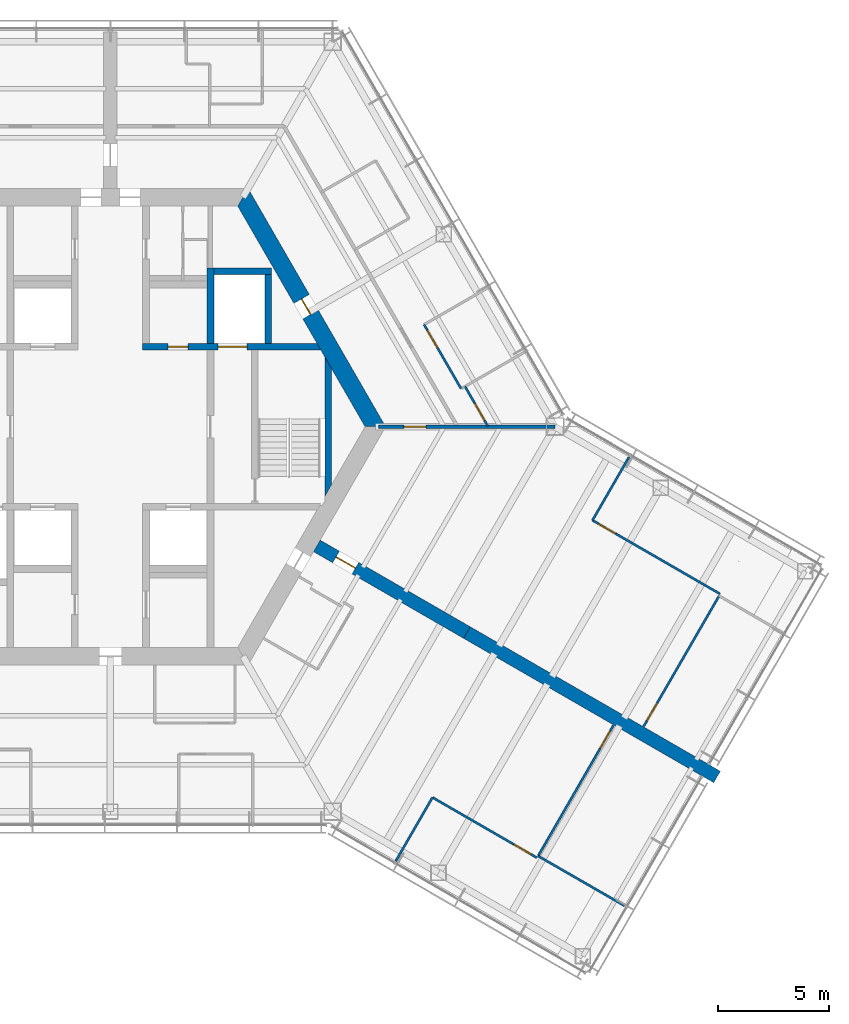
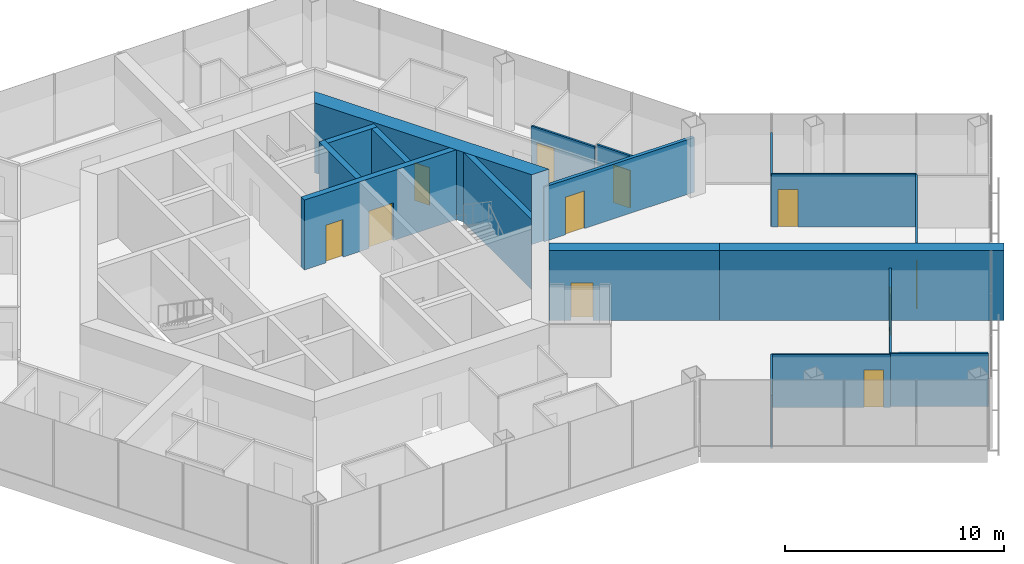
# One storey, part 12 of 17: 18 walls, 11 doors, 11 openings.
"""IFC4 building model written with IfcOpenShell, lengths in metres."""

from ifc_helpers import new_model, si_unit, direction, frame, frame_2d, origin, place, context, subcontext, project, spatial, polyline, rectangle, outline, extrude, material, layer, layer_set, type_object, element, fill, save


model = new_model("IFC4")

# Units and contexts
model_context = context("Model", 3, precision=1e-05, world=origin(), true_north=direction((0.0, 1.0)))
body_context = subcontext(model_context, "Body", "Model", "MODEL_VIEW")
ifc_project = project(units=[si_unit("LENGTHUNIT", "METRE"), si_unit("AREAUNIT", "SQUARE_METRE"), si_unit("VOLUMEUNIT", "CUBIC_METRE"), si_unit("PLANEANGLEUNIT", "RADIAN"), si_unit("MASSUNIT", "GRAM", prefix="KILO")], contexts=[model_context])

# Site, building, storey
site_placement = place(None, origin())
site = spatial("IfcSite", under=ifc_project, at=site_placement, CompositionType="ELEMENT")
building_placement = place(site_placement, origin())
building = spatial("IfcBuilding", under=site, at=building_placement, Name="Kasaneha Research Tower", CompositionType="ELEMENT")
storey_placement = place(building_placement, frame((0.0, 0.0, 224.5)))
storey = spatial("IfcBuildingStorey", under=building, at=storey_placement, Name="L56", CompositionType="ELEMENT", Elevation=224.5)

# Wall, openings, doors
ifc_material_1 = material(Name="Concrete Fc60", Category="concrete")
ifc_layer_1 = layer(ifc_material_1, 0.300048828125)
ifc_layer_set_1 = layer_set([ifc_layer_1], Name="Core internal wall 300 Fc60")
wall_type_1 = type_object("IfcWallType", Name="Core internal wall 300 Fc60", PredefinedType="SHEAR", material=ifc_layer_set_1)
wall_1_placement = place(storey_placement, frame((1.449951171875, 3.60009765625, 0.0), z_axis=(0.0, 0.0, 1.0), x_axis=(1.0, 0.0, 0.0)))
wall_1 = element("IfcWall", 1, at=wall_1_placement, inside=storey, type_object=wall_type_1, Name="Core wall W1E L56", PredefinedType="SHEAR", context=body_context, shape_type="SweptSolid", body=[
    extrude(outline(polyline([(0.0, -0.14990234375), (1.14990234375, -0.14990234375), (2.0498046875, -0.14990234375), (3.39990234375, -0.14990234375), (4.699951171875, -0.14990234375), (8.0185546875, -0.14990234375), (7.84521484375, 0.14990234375), (4.699951171875, 0.14990234375), (3.39990234375, 0.14990234375), (2.0498046875, 0.14990234375), (1.14990234375, 0.14990234375), (0.0, 0.14990234375), (0.0, -0.14990234375)])), origin(), (0.0, 0.0, 1.0), 3.89990234375),
])
opening_1_placement = place(wall_1_placement, frame((1.14990234375, 0.0, 0.0)))
opening_1 = element("IfcOpeningElement", 2, at=opening_1_placement, cuts=wall_1, Name="Opening L56-D17", PredefinedType="OPENING", context=body_context, shape_type="SweptSolid", body=[
    extrude(rectangle(XDim=0.89990234375, YDim=2.10009765625, at=frame_2d((0.449951171875, 1.050048828125))), frame((0.0, 0.16015625, 0.0), z_axis=(0.0, -1.0, 0.0), x_axis=(1.0, 0.0, 0.0)), (0.0, 0.0, 1.0), 0.320068359375),
])
opening_2_placement = place(wall_1_placement, frame((3.39990234375, 0.0, 0.0)))
opening_2 = element("IfcOpeningElement", 3, at=opening_2_placement, cuts=wall_1, Name="Opening LD-FL1-L56", PredefinedType="OPENING", context=body_context, shape_type="SweptSolid", body=[
    extrude(rectangle(XDim=1.300048828125, YDim=2.10009765625, at=frame_2d((0.64990234375, 1.050048828125))), frame((0.0, 0.16015625, 0.0), z_axis=(0.0, -1.0, 0.0), x_axis=(1.0, 0.0, 0.0)), (0.0, 0.0, 1.0), 0.320068359375),
])
ifc_material_2 = material(Name="Steel", Category="steel")
door_type_1 = type_object("IfcDoorType", Name="Lift landing door 1300x2100", OperationType="DOUBLE_DOOR_SLIDING", PredefinedType="DOOR", material=ifc_material_2)
door_1_placement = place(opening_2_placement, origin())
door_1 = element("IfcDoor", 4, at=door_1_placement, inside=storey, type_object=door_type_1, Name="Landing door FL1 LD-FL1-L56", OperationType="DOUBLE_DOOR_SLIDING", OverallHeight=2.10009765625, OverallWidth=1.300048828125, PredefinedType="DOOR", context=body_context, shape_type="SweptSolid", body=[
    extrude(rectangle(XDim=1.300048828125, YDim=2.10009765625, at=frame_2d((0.64990234375, 1.050048828125))), frame((0.0, 0.02490234375, 0.0), z_axis=(0.0, -1.0, 0.0), x_axis=(1.0, 0.0, 0.0)), (0.0, 0.0, 1.0), 0.050048828125),
])
fill(opening_2, door_1)
ifc_material_3 = material(Name="Steel", Category="steel")
door_type_2 = type_object("IfcDoorType", Name="Shaft room door FD60 900x2100", OperationType="NOTDEFINED", PredefinedType="DOOR", material=ifc_material_3)
door_2_placement = place(opening_1_placement, origin())
door_2 = element("IfcDoor", 5, at=door_2_placement, inside=storey, type_object=door_type_2, Name="Housekeeping store door L56-D17", OperationType="SINGLE_SWING_LEFT", OverallHeight=2.10009765625, OverallWidth=0.89990234375, PredefinedType="DOOR", context=body_context, shape_type="SweptSolid", body=[
    extrude(rectangle(XDim=0.89990234375, YDim=2.10009765625, at=frame_2d((0.449951171875, 1.050048828125))), frame((0.0, 0.02490234375, 0.0), z_axis=(0.0, -1.0, 0.0), x_axis=(1.0, 0.0, 0.0)), (0.0, 0.0, 1.0), 0.050048828125),
])
fill(opening_1, door_2)

# Walls
wall_2_placement = place(storey_placement, frame((4.5, 3.75, 0.0), z_axis=(0.0, 0.0, 1.0), x_axis=(0.0, 1.0, 0.0)))
element("IfcWall", 6, at=wall_2_placement, inside=storey, type_object=wall_type_1, Name="Core wall FNE L56", PredefinedType="SHEAR", context=body_context, shape_type="SweptSolid", body=[
    extrude(rectangle(XDim=3.39990234375, YDim=0.300048828125, at=frame_2d((1.699951171875, 0.0))), origin(), (0.0, 0.0, 1.0), 3.89990234375),
])
wall_3_placement = place(storey_placement, frame((4.64990234375, 7.0, 0.0), z_axis=(0.0, 0.0, 1.0), x_axis=(1.0, 0.0, 0.0)))
element("IfcWall", 7, at=wall_3_placement, inside=storey, type_object=wall_type_1, Name="Core wall F1N L56", PredefinedType="SHEAR", context=body_context, shape_type="SweptSolid", body=[
    extrude(rectangle(XDim=2.60009765625, YDim=0.300048828125, at=frame_2d((1.300048828125, 0.0))), origin(), (0.0, 0.0, 1.0), 3.89990234375),
])
wall_4_placement = place(storey_placement, frame((7.10009765625, 3.75, 0.0), z_axis=(0.0, 0.0, 1.0), x_axis=(0.0, 1.0, 0.0)))
element("IfcWall", 8, at=wall_4_placement, inside=storey, type_object=wall_type_1, Name="Core wall F1E L56", PredefinedType="SHEAR", context=body_context, shape_type="SweptSolid", body=[
    extrude(rectangle(XDim=3.10009765625, YDim=0.300048828125, at=frame_2d((1.550048828125, 0.0))), origin(), (0.0, 0.0, 1.0), 3.89990234375),
])
wall_5_placement = place(storey_placement, frame((9.807861328125, -2.8623046875, 0.0), z_axis=(0.0, 0.0, 1.0), x_axis=(0.0, 1.0, 0.0)))
element("IfcWall", 9, at=wall_5_placement, inside=storey, type_object=wall_type_1, Name="Core wall STE L56", PredefinedType="SHEAR", context=body_context, shape_type="SweptSolid", body=[
    extrude(outline(polyline([(0.259765625, -0.14990234375), (5.46484375, -0.14990234375), (5.984375, 0.14990234375), (-0.259765625, 0.14990234375), (0.259765625, -0.14990234375)])), origin(), (0.0, 0.0, 1.0), 3.89990234375),
])

# Wall, opening, door
ifc_material_4 = material(Name="Concrete Fc60", Category="concrete")
ifc_layer_2 = layer(ifc_material_4, 0.800048828125)
ifc_layer_set_2 = layer_set([ifc_layer_2], Name="Core wall 800 Fc60")
wall_type_2 = type_object("IfcWallType", Name="Core wall 800 Fc60", PredefinedType="SHEAR", material=ifc_layer_set_2)
wall_6_placement = place(storey_placement, frame((11.92236328125, 0.0, 0.0), z_axis=(0.0, 0.0, 1.0), x_axis=(-0.500004296715, 0.866022923061, 0.0)))
wall_6 = element("IfcWall", 10, at=wall_6_placement, inside=storey, type_object=wall_type_2, Name="Core wall 030 L56", PredefinedType="SHEAR", context=body_context, shape_type="SweptSolid", body=[
    extrude(outline(polyline([(-0.23095703125, -0.39990234375), (5.83544921875, -0.39990234375), (6.635498046875, -0.39990234375), (12.1533203125, -0.39990234375), (11.69140625, 0.39990234375), (6.635498046875, 0.39990234375), (5.83544921875, 0.39990234375), (0.23095703125, 0.39990234375), (-0.23095703125, -0.39990234375)])), origin(), (0.0, 0.0, 1.0), 3.89990234375),
])
opening_3_placement = place(wall_6_placement, frame((5.83544921875, 0.0, 0.0)))
opening_3 = element("IfcOpeningElement", 11, at=opening_3_placement, cuts=wall_6, Name="Opening L56-D04", PredefinedType="OPENING", context=body_context, shape_type="SweptSolid", body=[
    extrude(rectangle(XDim=0.800048828125, YDim=2.10009765625, at=frame_2d((0.39990234375, 1.050048828125))), frame((0.0, 0.41015625, 0.0), z_axis=(0.0, -1.0, 0.0), x_axis=(1.0, 0.0, 0.0)), (0.0, 0.0, 1.0), 0.820068359375),
])
ifc_material_5 = material(Name="Steel", Category="steel")
door_type_3 = type_object("IfcDoorType", Name="Riser access door FD60 800x2100", OperationType="NOTDEFINED", PredefinedType="DOOR", material=ifc_material_5)
door_3_placement = place(opening_3_placement, origin())
door_3 = element("IfcDoor", 12, at=door_3_placement, inside=storey, type_object=door_type_3, Name="Pipe riser door L56-D04", OperationType="SINGLE_SWING_RIGHT", OverallHeight=2.10009765625, OverallWidth=0.800048828125, PredefinedType="DOOR", context=body_context, shape_type="SweptSolid", body=[
    extrude(rectangle(XDim=0.800048828125, YDim=2.10009765625, at=frame_2d((0.39990234375, 1.050048828125))), frame((0.0, 0.02490234375, 0.0), z_axis=(0.0, -1.0, 0.0), x_axis=(1.0, 0.0, 0.0)), (0.0, 0.0, 1.0), 0.050048828125),
])
fill(opening_3, door_3)

ifc_material_6 = material(Name="Gypsum board on steel studs, one layer each side", Category="steel")
ifc_layer_3 = layer(ifc_material_6, 0.10009765625)
ifc_layer_set_3 = layer_set([ifc_layer_3], Name="Office partition 100")
wall_type_3 = type_object("IfcWallType", Name="Office partition 100", PredefinedType="PARTITIONING", material=ifc_layer_set_3)
wall_7_placement = place(storey_placement, frame((15.779296875, 1.71044921875, 0.0), z_axis=(0.0, 0.0, 1.0), x_axis=(-0.500001606164, 0.866024476463, 0.0)))
wall_7 = element("IfcWall", 13, at=wall_7_placement, inside=storey, type_object=wall_type_3, Name="Office partition FAE15 L56", PredefinedType="PARTITIONING", context=body_context, shape_type="SweptSolid", body=[
    extrude(rectangle(XDim=3.3310546875, YDim=0.10009765625, at=frame_2d((1.66552734375, 0.0))), origin(), (0.0, 0.0, 1.0), 2.949951171875),
])
opening_4_placement = place(wall_7_placement, frame((2.131103515625, 0.0, 0.0)))
opening_4 = element("IfcOpeningElement", 14, at=opening_4_placement, cuts=wall_7, Name="Opening L56-D29", PredefinedType="OPENING", context=body_context, shape_type="SweptSolid", body=[
    extrude(rectangle(XDim=0.89990234375, YDim=2.10009765625, at=frame_2d((0.449951171875, 1.050048828125))), frame((0.0, 0.06005859375, 0.0), z_axis=(0.0, -1.0, 0.0), x_axis=(1.0, 0.0, 0.0)), (0.0, 0.0, 1.0), 0.1201171875),
])
ifc_material_7 = material(Name="Timber veneer", Category="wood")
door_type_4 = type_object("IfcDoorType", Name="Office door 900x2100", OperationType="SINGLE_SWING_LEFT", PredefinedType="DOOR", material=ifc_material_7)
door_4_placement = place(opening_4_placement, origin())
door_4 = element("IfcDoor", 15, at=door_4_placement, inside=storey, type_object=door_type_4, Name="Manager's office door L56-D29", OperationType="SINGLE_SWING_RIGHT", OverallHeight=2.10009765625, OverallWidth=0.89990234375, PredefinedType="DOOR", context=body_context, shape_type="SweptSolid", body=[
    extrude(rectangle(XDim=0.89990234375, YDim=2.10009765625, at=frame_2d((0.449951171875, 1.050048828125))), frame((0.0, 0.02490234375, 0.0), z_axis=(0.0, -1.0, 0.0), x_axis=(1.0, 0.0, 0.0)), (0.0, 0.0, 1.0), 0.050048828125),
])
fill(opening_4, door_4)

wall_8_placement = place(storey_placement, frame((16.986083984375, 0.02001953125, 0.0), z_axis=(0.0, 0.0, 1.0), x_axis=(-0.498096123952, 0.867121820337, 0.0)))
wall_8 = element("IfcWall", 16, at=wall_8_placement, inside=storey, type_object=wall_type_3, Name="Office partition FAE18 L56", PredefinedType="PARTITIONING", context=body_context, shape_type="SweptSolid", body=[
    extrude(rectangle(XDim=2.0673828125, YDim=0.10009765625, at=frame_2d((1.03369140625, 0.0))), origin(), (0.0, 0.0, 1.0), 2.949951171875),
])
opening_5_placement = place(wall_8_placement, frame((0.300048828125, 0.0, 0.0)))
opening_5 = element("IfcOpeningElement", 17, at=opening_5_placement, cuts=wall_8, Name="Opening L56-D31", PredefinedType="OPENING", context=body_context, shape_type="SweptSolid", body=[
    extrude(rectangle(XDim=0.89990234375, YDim=2.10009765625, at=frame_2d((0.449951171875, 1.050048828125))), frame((0.0, 0.06005859375, 0.0), z_axis=(0.0, -1.0, 0.0), x_axis=(1.0, 0.0, 0.0)), (0.0, 0.0, 1.0), 0.1201171875),
])
door_5_placement = place(opening_5_placement, origin())
door_5 = element("IfcDoor", 18, at=door_5_placement, inside=storey, type_object=door_type_4, Name="Workroom door L56-D31", OperationType="SINGLE_SWING_LEFT", OverallHeight=2.10009765625, OverallWidth=0.89990234375, PredefinedType="DOOR", context=body_context, shape_type="SweptSolid", body=[
    extrude(rectangle(XDim=0.89990234375, YDim=2.10009765625, at=frame_2d((0.449951171875, 1.050048828125))), frame((0.0, 0.02490234375, 0.0), z_axis=(0.0, -1.0, 0.0), x_axis=(1.0, 0.0, 0.0)), (0.0, 0.0, 1.0), 0.050048828125),
])
fill(opening_5, door_5)

# Wall
wall_9_placement = place(storey_placement, frame((21.692138671875, -4.210205078125, 0.0), z_axis=(0.0, 0.0, 1.0), x_axis=(0.50002956483, 0.866008333849, 0.0)))
element("IfcWall", 19, at=wall_9_placement, inside=storey, type_object=wall_type_3, Name="Office partition FCE02 L56", PredefinedType="PARTITIONING", context=body_context, shape_type="SweptSolid", body=[
    extrude(rectangle(XDim=3.280029296875, YDim=0.10009765625, at=frame_2d((1.64013671875, 0.0))), origin(), (0.0, 0.0, 1.0), 2.949951171875),
])

# Wall, opening, door
wall_10_placement = place(storey_placement, frame((27.425048828125, -7.52001953125, 0.0), z_axis=(0.0, 0.0, 1.0), x_axis=(-0.866030817826, 0.499990622488, 0.0)))
wall_10 = element("IfcWall", 20, at=wall_10_placement, inside=storey, type_object=wall_type_3, Name="Office partition FCE03 L56", PredefinedType="PARTITIONING", context=body_context, shape_type="SweptSolid", body=[
    extrude(rectangle(XDim=6.619873046875, YDim=0.10009765625, at=frame_2d((3.31005859375, 0.0))), origin(), (0.0, 0.0, 1.0), 2.949951171875),
])
opening_6_placement = place(wall_10_placement, frame((5.419677734375, 0.0, 0.0)))
opening_6 = element("IfcOpeningElement", 21, at=opening_6_placement, cuts=wall_10, Name="Opening L56-D41", PredefinedType="OPENING", context=body_context, shape_type="SweptSolid", body=[
    extrude(rectangle(XDim=0.89990234375, YDim=2.10009765625, at=frame_2d((0.449951171875, 1.050048828125))), frame((0.0, 0.06005859375, 0.0), z_axis=(0.0, -1.0, 0.0), x_axis=(1.0, 0.0, 0.0)), (0.0, 0.0, 1.0), 0.1201171875),
])
door_6_placement = place(opening_6_placement, origin())
door_6 = element("IfcDoor", 22, at=door_6_placement, inside=storey, type_object=door_type_4, Name="Manager's office door L56-D41", OperationType="SINGLE_SWING_RIGHT", OverallHeight=2.10009765625, OverallWidth=0.89990234375, PredefinedType="DOOR", context=body_context, shape_type="SweptSolid", body=[
    extrude(rectangle(XDim=0.89990234375, YDim=2.10009765625, at=frame_2d((0.449951171875, 1.050048828125))), frame((0.0, 0.02490234375, 0.0), z_axis=(0.0, -1.0, 0.0), x_axis=(1.0, 0.0, 0.0)), (0.0, 0.0, 1.0), 0.050048828125),
])
fill(opening_6, door_6)

wall_11_placement = place(storey_placement, frame((23.993408203125, -13.483154296875, 0.0), z_axis=(0.0, 0.0, 1.0), x_axis=(0.500522347083, 0.865723616445, 0.0)))
wall_11 = element("IfcWall", 23, at=wall_11_placement, inside=storey, type_object=wall_type_3, Name="Office partition FCE04 L56", PredefinedType="PARTITIONING", context=body_context, shape_type="SweptSolid", body=[
    extrude(rectangle(XDim=6.780029296875, YDim=0.10009765625, at=frame_2d((3.39013671875, 0.0))), origin(), (0.0, 0.0, 1.0), 2.949951171875),
])
opening_7_placement = place(wall_11_placement, frame((0.300048828125, 0.0, 0.0)))
opening_7 = element("IfcOpeningElement", 24, at=opening_7_placement, cuts=wall_11, Name="Opening L56-D42", PredefinedType="OPENING", context=body_context, shape_type="SweptSolid", body=[
    extrude(rectangle(XDim=0.89990234375, YDim=2.10009765625, at=frame_2d((0.449951171875, 1.050048828125))), frame((0.0, 0.06005859375, 0.0), z_axis=(0.0, -1.0, 0.0), x_axis=(1.0, 0.0, 0.0)), (0.0, 0.0, 1.0), 0.1201171875),
])
door_7_placement = place(opening_7_placement, origin())
door_7 = element("IfcDoor", 25, at=door_7_placement, inside=storey, type_object=door_type_4, Name="Meeting room door L56-D42", OperationType="SINGLE_SWING_LEFT", OverallHeight=2.10009765625, OverallWidth=0.89990234375, PredefinedType="DOOR", context=body_context, shape_type="SweptSolid", body=[
    extrude(rectangle(XDim=0.89990234375, YDim=2.10009765625, at=frame_2d((0.449951171875, 1.050048828125))), frame((0.0, 0.02490234375, 0.0), z_axis=(0.0, -1.0, 0.0), x_axis=(1.0, 0.0, 0.0)), (0.0, 0.0, 1.0), 0.050048828125),
])
fill(opening_7, door_7)

# Walls
wall_12_placement = place(storey_placement, frame((19.2412109375, -19.31298828125, 0.0), z_axis=(0.0, 0.0, 1.0), x_axis=(0.866534622614, -0.499116968066, 0.0)))
element("IfcWall", 26, at=wall_12_placement, inside=storey, type_object=wall_type_3, Name="Office partition FCS09 L56", PredefinedType="PARTITIONING", context=body_context, shape_type="SweptSolid", body=[
    extrude(rectangle(XDim=4.48046875, YDim=0.10009765625, at=frame_2d((2.240234375, 0.0))), origin(), (0.0, 0.0, 1.0), 2.949951171875),
])
wall_13_placement = place(storey_placement, frame((12.837158203125, -19.547607421875, 0.0), z_axis=(0.0, 0.0, 1.0), x_axis=(0.499890550747, 0.866088585119, 0.0)))
element("IfcWall", 27, at=wall_13_placement, inside=storey, type_object=wall_type_3, Name="Office partition FCS10 L56", PredefinedType="PARTITIONING", context=body_context, shape_type="SweptSolid", body=[
    extrude(rectangle(XDim=3.310791015625, YDim=0.10009765625, at=frame_2d((1.6552734375, 0.0))), origin(), (0.0, 0.0, 1.0), 2.949951171875),
])

# Wall, opening, door
wall_14_placement = place(storey_placement, frame((14.4921875, -16.68017578125, 0.0), z_axis=(0.0, 0.0, 1.0), x_axis=(0.866056782721, -0.499945646148, 0.0)))
wall_14 = element("IfcWall", 28, at=wall_14_placement, inside=storey, type_object=wall_type_3, Name="Office partition FCS11 L56", PredefinedType="PARTITIONING", context=body_context, shape_type="SweptSolid", body=[
    extrude(rectangle(XDim=5.4287109375, YDim=0.10009765625, at=frame_2d((2.71435546875, 0.0))), origin(), (0.0, 0.0, 1.0), 2.949951171875),
])
opening_8_placement = place(wall_14_placement, frame((4.22900390625, 0.0, 0.0)))
opening_8 = element("IfcOpeningElement", 29, at=opening_8_placement, cuts=wall_14, Name="Opening L56-D45", PredefinedType="OPENING", context=body_context, shape_type="SweptSolid", body=[
    extrude(rectangle(XDim=0.89990234375, YDim=2.10009765625, at=frame_2d((0.449951171875, 1.050048828125))), frame((0.0, 0.06005859375, 0.0), z_axis=(0.0, -1.0, 0.0), x_axis=(1.0, 0.0, 0.0)), (0.0, 0.0, 1.0), 0.1201171875),
])
door_8_placement = place(opening_8_placement, origin())
door_8 = element("IfcDoor", 30, at=door_8_placement, inside=storey, type_object=door_type_4, Name="Manager's office door L56-D45", OperationType="SINGLE_SWING_RIGHT", OverallHeight=2.10009765625, OverallWidth=0.89990234375, PredefinedType="DOOR", context=body_context, shape_type="SweptSolid", body=[
    extrude(rectangle(XDim=0.89990234375, YDim=2.10009765625, at=frame_2d((0.449951171875, 1.050048828125))), frame((0.0, 0.02490234375, 0.0), z_axis=(0.0, -1.0, 0.0), x_axis=(1.0, 0.0, 0.0)), (0.0, 0.0, 1.0), 0.050048828125),
])
fill(opening_8, door_8)

wall_15_placement = place(storey_placement, frame((19.247802734375, -19.31103515625, 0.0), z_axis=(0.0, 0.0, 1.0), x_axis=(0.499489671712, 0.866319841544, 0.0)))
wall_15 = element("IfcWall", 31, at=wall_15_placement, inside=storey, type_object=wall_type_3, Name="Office partition FCS12 L56", PredefinedType="PARTITIONING", context=body_context, shape_type="SweptSolid", body=[
    extrude(rectangle(XDim=6.77978515625, YDim=0.10009765625, at=frame_2d((3.389892578125, 0.0))), origin(), (0.0, 0.0, 1.0), 2.949951171875),
])
opening_9_placement = place(wall_15_placement, frame((5.580078125, 0.0, 0.0)))
opening_9 = element("IfcOpeningElement", 32, at=opening_9_placement, cuts=wall_15, Name="Opening L56-D46", PredefinedType="OPENING", context=body_context, shape_type="SweptSolid", body=[
    extrude(rectangle(XDim=0.89990234375, YDim=2.10009765625, at=frame_2d((0.449951171875, 1.050048828125))), frame((0.0, 0.06005859375, 0.0), z_axis=(0.0, -1.0, 0.0), x_axis=(1.0, 0.0, 0.0)), (0.0, 0.0, 1.0), 0.1201171875),
])
door_9_placement = place(opening_9_placement, origin())
door_9 = element("IfcDoor", 33, at=door_9_placement, inside=storey, type_object=door_type_4, Name="Meeting room door L56-D46", OperationType="SINGLE_SWING_RIGHT", OverallHeight=2.10009765625, OverallWidth=0.89990234375, PredefinedType="DOOR", context=body_context, shape_type="SweptSolid", body=[
    extrude(rectangle(XDim=0.89990234375, YDim=2.10009765625, at=frame_2d((0.449951171875, 1.050048828125))), frame((0.0, 0.02490234375, 0.0), z_axis=(0.0, -1.0, 0.0), x_axis=(1.0, 0.0, 0.0)), (0.0, 0.0, 1.0), 0.050048828125),
])
fill(opening_9, door_9)

ifc_material_8 = material(Name="Concrete Fc60", Category="concrete")
ifc_layer_4 = layer(ifc_material_8, 0.60009765625)
ifc_layer_set_4 = layer_set([ifc_layer_4], Name="Spine wall 600 Fc60")
wall_type_4 = type_object("IfcWallType", Name="Spine wall 600 Fc60", PredefinedType="SHEAR", material=ifc_layer_set_4)
wall_16_placement = place(storey_placement, frame((9.2880859375, -5.362548828125, 0.0), z_axis=(0.0, 0.0, 1.0), x_axis=(0.866031736626, -0.499989031036, 0.0)))
wall_16 = element("IfcWall", 34, at=wall_16_placement, inside=storey, type_object=wall_type_4, Name="Spine wall C L56", PredefinedType="SHEAR", context=body_context, shape_type="SweptSolid", body=[
    extrude(rectangle(XDim=7.795654296875, YDim=0.60009765625, at=frame_2d((3.89794921875, 0.0))), origin(), (0.0, 0.0, 1.0), 3.89990234375),
])
opening_10_placement = place(wall_16_placement, frame((1.0, 0.0, 0.0)))
opening_10 = element("IfcOpeningElement", 35, at=opening_10_placement, cuts=wall_16, Name="Opening L56-D20", PredefinedType="OPENING", context=body_context, shape_type="SweptSolid", body=[
    extrude(rectangle(XDim=1.0, YDim=2.10009765625, at=frame_2d((0.5, 1.050048828125))), frame((0.0, 0.31005859375, 0.0), z_axis=(0.0, -1.0, 0.0), x_axis=(1.0, 0.0, 0.0)), (0.0, 0.0, 1.0), 0.6201171875),
])
ifc_material_9 = material(Name="Steel", Category="steel")
door_type_5 = type_object("IfcDoorType", Name="Specified fire door FD60 1000x2100", OperationType="NOTDEFINED", PredefinedType="DOOR", material=ifc_material_9)
door_10_placement = place(opening_10_placement, origin())
door_10 = element("IfcDoor", 36, at=door_10_placement, inside=storey, type_object=door_type_5, Name="Spine doorway C L56-D20", OperationType="SINGLE_SWING_LEFT", OverallHeight=2.10009765625, OverallWidth=1.0, PredefinedType="DOOR", context=body_context, shape_type="SweptSolid", body=[
    extrude(rectangle(XDim=1.0, YDim=2.10009765625, at=frame_2d((0.5, 1.050048828125))), frame((0.0, 0.02490234375, 0.0), z_axis=(0.0, -1.0, 0.0), x_axis=(1.0, 0.0, 0.0)), (0.0, 0.0, 1.0), 0.050048828125),
])
fill(opening_10, door_10)

# Wall
wall_17_placement = place(storey_placement, frame((16.039306640625, -9.26025390625, 0.0), z_axis=(0.0, 0.0, 1.0), x_axis=(0.866024837091, -0.50000098154, 0.0)))
element("IfcWall", 37, at=wall_17_placement, inside=storey, type_object=wall_type_4, Name="Spine wall C wing L56", PredefinedType="SHEAR", context=body_context, shape_type="SweptSolid", body=[
    extrude(rectangle(XDim=13.0, YDim=0.60009765625, at=frame_2d((6.5, 0.0))), origin(), (0.0, 0.0, 1.0), 3.89990234375),
])

# Wall, opening, door
ifc_material_10 = material(Name="Gypsum board on steel studs, two layers each side", Category="steel")
ifc_layer_5 = layer(ifc_material_10, 0.175048828125)
ifc_layer_set_5 = layer_set([ifc_layer_5], Name="Tenancy fire partition 175")
wall_type_5 = type_object("IfcWallType", Name="Tenancy fire partition 175", PredefinedType="PARTITIONING", material=ifc_layer_set_5)
wall_18_placement = place(storey_placement, frame((12.069580078125, 0.0, 0.0), z_axis=(0.0, 0.0, 1.0), x_axis=(1.0, 0.0, 0.0)))
wall_18 = element("IfcWall", 38, at=wall_18_placement, inside=storey, type_object=wall_type_5, Name="Tenancy fire partition T000 L56", PredefinedType="PARTITIONING", context=body_context, shape_type="SweptSolid", body=[
    extrude(rectangle(XDim=7.930419921875, YDim=0.175048828125, at=frame_2d((3.96533203125, 0.0))), origin(), (0.0, 0.0, 1.0), 3.050048828125),
])
opening_11_placement = place(wall_18_placement, frame((1.1298828125, 0.0, 0.0)))
opening_11 = element("IfcOpeningElement", 39, at=opening_11_placement, cuts=wall_18, Name="Opening L56-D23", PredefinedType="OPENING", context=body_context, shape_type="SweptSolid", body=[
    extrude(rectangle(XDim=1.0, YDim=2.10009765625, at=frame_2d((0.5, 1.050048828125))), frame((0.0, 0.09765625, 0.0), z_axis=(0.0, -1.0, 0.0), x_axis=(1.0, 0.0, 0.0)), (0.0, 0.0, 1.0), 0.195068359375),
])
ifc_material_11 = material(Name="Steel", Category="steel")
door_type_6 = type_object("IfcDoorType", Name="Suite entrance door FD60 1000x2100", OperationType="NOTDEFINED", PredefinedType="DOOR", material=ifc_material_11)
door_11_placement = place(opening_11_placement, origin())
door_11 = element("IfcDoor", 40, at=door_11_placement, inside=storey, type_object=door_type_6, Name="Connecting door L56-D23", OperationType="SINGLE_SWING_LEFT", OverallHeight=2.10009765625, OverallWidth=1.0, PredefinedType="DOOR", context=body_context, shape_type="SweptSolid", body=[
    extrude(rectangle(XDim=1.0, YDim=2.10009765625, at=frame_2d((0.5, 1.050048828125))), frame((0.0, 0.02490234375, 0.0), z_axis=(0.0, -1.0, 0.0), x_axis=(1.0, 0.0, 0.0)), (0.0, 0.0, 1.0), 0.050048828125),
])
fill(opening_11, door_11)

save(model, "model.ifc")
